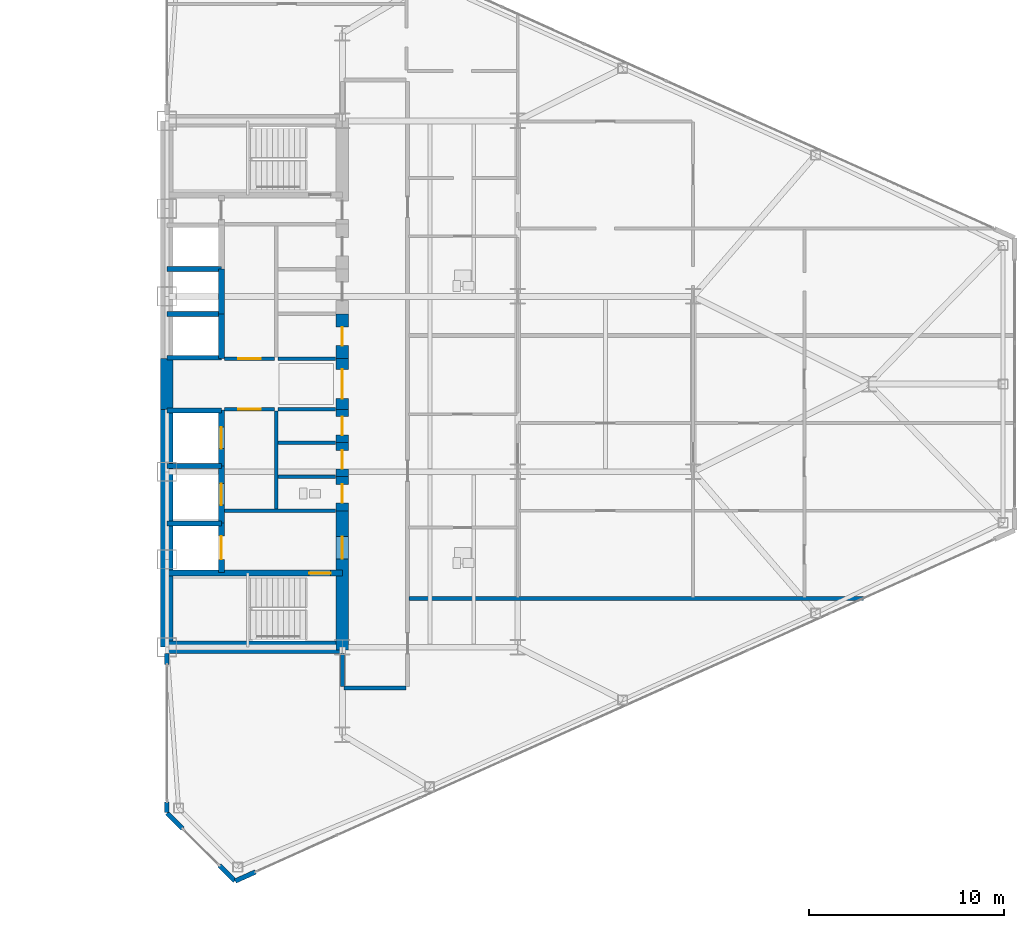
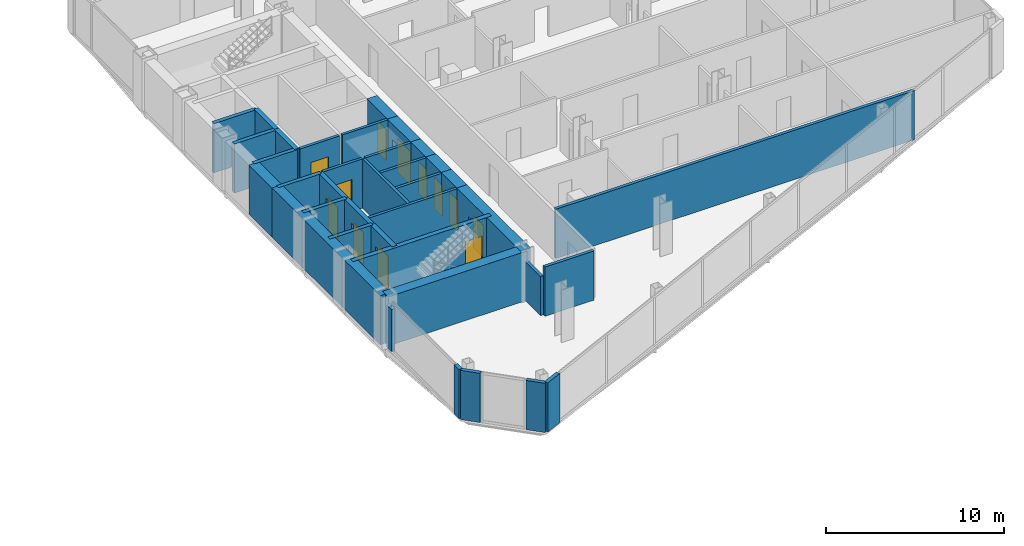
# One storey, part 22 of 27: 37 walls, 12 doors, 12 openings.
"""IFC4 building model written with IfcOpenShell, lengths in metres."""

from ifc_helpers import new_model, si_unit, direction, frame, frame_2d, origin, place, context, subcontext, project, spatial, rectangle, extrude, source, transform, mapped, material, layer, layer_set, type_object, type_shapes, element, fill, save


model = new_model("IFC4")

# Units and contexts
model_context = context("Model", 3, precision=1e-05, world=origin(), true_north=direction((0.0, 1.0)))
body_context = subcontext(model_context, "Body", "Model", "MODEL_VIEW")
ifc_project = project(units=[si_unit("LENGTHUNIT", "METRE"), si_unit("AREAUNIT", "SQUARE_METRE"), si_unit("VOLUMEUNIT", "CUBIC_METRE"), si_unit("PLANEANGLEUNIT", "RADIAN"), si_unit("MASSUNIT", "GRAM", prefix="KILO")], contexts=[model_context])

# Site, building, storey
site_placement = place(None, origin())
site = spatial("IfcSite", under=ifc_project, at=site_placement, CompositionType="ELEMENT")
building_placement = place(site_placement, origin())
building = spatial("IfcBuilding", under=site, at=building_placement, Name="Seokmaru Belvedere", CompositionType="ELEMENT")
storey_placement = place(building_placement, frame((0.0, 0.0, 103.199951171875)))
storey = spatial("IfcBuildingStorey", under=building, at=storey_placement, Name="L27", CompositionType="ELEMENT", Elevation=103.199951171875)

# Walls
ifc_material_1 = material(Name="Fire-Rated Gypsum Shaftwall")
ifc_layer_1 = layer(ifc_material_1, 0.179931640625)
ifc_layer_set_1 = layer_set([ifc_layer_1], Name="Fire-Rated Gypsum Shaftwall")
wall_type_1 = type_object("IfcWallType", Name="Core Service Fire Partition 180", PredefinedType="PARTITIONING", material=ifc_layer_set_1)
wall_1_placement = place(storey_placement, frame((30.449951171875, -6.5, 0.0), z_axis=(0.0, 0.0, 1.0), x_axis=(1.0, 0.0, 0.0)))
element("IfcWall", 1, at=wall_1_placement, inside=storey, type_object=wall_type_1, Name="L27 East Firefighting Lobby Partition", PredefinedType="PARTITIONING", context=body_context, shape_type="SweptSolid", body=[
    extrude(rectangle(XDim=5.699951171875, YDim=0.179931640625, at=frame_2d((2.85009765625, 0.0))), origin(), (0.0, 0.0, 1.0), 3.380126953125),
])
wall_2_placement = place(storey_placement, frame((33.10009765625, -6.419921875, 0.0), z_axis=(0.0, 0.0, 1.0), x_axis=(0.0, 1.0, 0.0)))
element("IfcWall", 2, at=wall_2_placement, inside=storey, type_object=wall_type_1, Name="L27 East South Core Service Back Wall", PredefinedType="PARTITIONING", context=body_context, shape_type="SweptSolid", body=[
    extrude(rectangle(XDim=5.0400390625, YDim=0.179931640625, at=frame_2d((2.52001953125, 0.0))), origin(), (0.0, 0.0, 1.0), 3.380126953125),
])

# Wall, opening, door
wall_3_placement = place(storey_placement, frame((30.449951171875, -1.300048828125, 0.0), z_axis=(0.0, 0.0, 1.0), x_axis=(1.0, 0.0, 0.0)))
wall_3 = element("IfcWall", 3, at=wall_3_placement, inside=storey, type_object=wall_type_1, Name="L27 East South Lift Lobby Foyer Wall", PredefinedType="PARTITIONING", context=body_context, shape_type="SweptSolid", body=[
    extrude(rectangle(XDim=2.570068359375, YDim=0.179931640625, at=frame_2d((1.28515625, 0.0))), origin(), (0.0, 0.0, 1.0), 3.380126953125),
])
opening_1_placement = place(wall_3_placement, frame((0.7099609375, 0.0, 0.0)))
opening_1 = element("IfcOpeningElement", 4, at=opening_1_placement, cuts=wall_3, Name="Opening D02", PredefinedType="OPENING", context=body_context, shape_type="SweptSolid", body=[
    extrude(rectangle(XDim=1.14990234375, YDim=2.199951171875, at=frame_2d((0.574951171875, 1.10009765625))), frame((0.0, 0.10009765625, 0.0), z_axis=(0.0, -1.0, 0.0), x_axis=(1.0, 0.0, 0.0)), (0.0, 0.0, 1.0), 0.199951171875),
])
ifc_material_2 = material(Name="Fire-Rated Steel Leaf", Category="steel")
door_type_1 = type_object("IfcDoorType", Name="Lobby and Vestibule Fire Door 1150x2200", OperationType="NOTDEFINED", PredefinedType="DOOR", material=ifc_material_2)
shared_shape_1 = source(origin(), body_context, "Body", "SweptSolid", [
    extrude(rectangle(XDim=1.14990234375, YDim=2.199951171875, at=frame_2d((0.574951171875, 1.10009765625))), frame((0.0, 0.02490234375, 0.0), z_axis=(0.0, -1.0, 0.0), x_axis=(1.0, 0.0, 0.0)), (0.0, 0.0, 1.0), 0.050048828125),
])
type_shapes(door_type_1, [shared_shape_1])
door_1_placement = place(opening_1_placement, origin())
door_1 = element("IfcDoor", 5, at=door_1_placement, inside=storey, type_object=door_type_1, Name="L27 East South Core Foyer Door", OperationType="SINGLE_SWING_RIGHT", OverallHeight=2.199951171875, OverallWidth=1.14990234375, PredefinedType="DOOR", context=body_context, shape_type="MappedRepresentation", body=[
    mapped(shared_shape_1, transform((0.0, 0.0, 0.0), scale=1.0)),
])
fill(opening_1, door_1)

wall_4_placement = place(storey_placement, frame((30.449951171875, 1.300048828125, 0.0), z_axis=(0.0, 0.0, 1.0), x_axis=(1.0, 0.0, 0.0)))
wall_4 = element("IfcWall", 6, at=wall_4_placement, inside=storey, type_object=wall_type_1, Name="L27 East North Lift Lobby Foyer Wall", PredefinedType="PARTITIONING", context=body_context, shape_type="SweptSolid", body=[
    extrude(rectangle(XDim=2.570068359375, YDim=0.179931640625, at=frame_2d((1.28515625, 0.0))), origin(), (0.0, 0.0, 1.0), 3.380126953125),
])
opening_2_placement = place(wall_4_placement, frame((0.7099609375, 0.0, 0.0)))
opening_2 = element("IfcOpeningElement", 7, at=opening_2_placement, cuts=wall_4, Name="Opening D02", PredefinedType="OPENING", context=body_context, shape_type="SweptSolid", body=[
    extrude(rectangle(XDim=1.14990234375, YDim=2.199951171875, at=frame_2d((0.574951171875, 1.10009765625))), frame((0.0, 0.10009765625, 0.0), z_axis=(0.0, -1.0, 0.0), x_axis=(1.0, 0.0, 0.0)), (0.0, 0.0, 1.0), 0.199951171875),
])
door_2_placement = place(opening_2_placement, origin())
door_2 = element("IfcDoor", 8, at=door_2_placement, inside=storey, type_object=door_type_1, Name="L27 East North Lift Lobby Door", OperationType="SINGLE_SWING_LEFT", OverallHeight=2.199951171875, OverallWidth=1.14990234375, PredefinedType="DOOR", context=body_context, shape_type="MappedRepresentation", body=[
    mapped(shared_shape_1, transform((0.0, 0.0, 0.0), scale=1.0)),
])
fill(opening_2, door_2)

# Walls
for number, where, z_axis, x_axis, name in (
    (9, (33.199951171875, -1.300048828125, 0.0), (0.0, 0.0, 1.0), (1.0, 0.0, 0.0), "L27 East Foyer Side Wall S"),
    (10, (33.199951171875, 1.300048828125, 0.0), (0.0, 0.0, 1.0), (1.0, 0.0, 0.0), "L27 East Foyer Side Wall N"),
    (11, (33.199951171875, -4.75, 0.0), (0.0, 0.0, 1.0), (1.0, 0.0, 0.0), "L27 East Core Service Partition 1"),
    (12, (33.199951171875, -3.0, 0.0), (0.0, 0.0, 1.0), (1.0, 0.0, 0.0), "L27 East Core Service Partition 2"),
):
    element("IfcWall", number, at=place(storey_placement, frame(where, z_axis=z_axis, x_axis=x_axis)), inside=storey, type_object=wall_type_1, Name=name, PredefinedType="PARTITIONING", context=body_context, shape_type="SweptSolid", body=[
        extrude(rectangle(XDim=2.949951171875, YDim=0.179931640625, at=frame_2d((1.47509765625, 0.0))), origin(), (0.0, 0.0, 1.0), 3.380126953125),
    ])
ifc_material_3 = material(Name="Concrete C50 (50 MPa)", Category="concrete")
ifc_layer_2 = layer(ifc_material_3, 0.25)
ifc_layer_set_2 = layer_set([ifc_layer_2], Name="Concrete C50 (50 MPa)")
wall_type_2 = type_object("IfcWallType", Name="Hoistway Transverse Concrete Divider Wall 250", PredefinedType="SHEAR", material=ifc_layer_set_2)
for number, where, z_axis, x_axis, name in (
    (13, (27.5, -7.14990234375, 0.0), (0.0, 0.0, 1.0), (1.0, 0.0, 0.0), "L27 East Hoistway Divider Core Wall 1"),
    (14, (27.5, -4.199951171875, 0.0), (0.0, 0.0, 1.0), (1.0, 0.0, 0.0), "L27 East Hoistway Divider Core Wall 2"),
    (15, (27.5, -1.35009765625, 0.0), (0.0, 0.0, 1.0), (1.0, 0.0, 0.0), "L27 East Hoistway Divider Core Wall 3"),
    (16, (27.5, 1.35009765625, 0.0), (0.0, 0.0, 1.0), (1.0, 0.0, 0.0), "L27 East Hoistway Divider Core Wall 4"),
    (17, (27.5, 3.60009765625, 0.0), (0.0, 0.0, 1.0), (1.0, 0.0, 0.0), "L27 East Hoistway Divider Core Wall 5"),
    (18, (27.5, 5.89990234375, 0.0), (0.0, 0.0, 1.0), (1.0, 0.0, 0.0), "L27 East Hoistway Divider Core Wall 6"),
):
    element("IfcWall", number, at=place(storey_placement, frame(where, z_axis=z_axis, x_axis=x_axis)), inside=storey, type_object=wall_type_2, Name=name, PredefinedType="SHEAR", context=body_context, shape_type="SweptSolid", body=[
        extrude(rectangle(XDim=2.800048828125, YDim=0.25, at=frame_2d((1.39990234375, 0.0))), origin(), (0.0, 0.0, 1.0), 3.380126953125),
    ])
ifc_layer_3 = layer(ifc_material_1, 0.199951171875)
ifc_layer_set_3 = layer_set([ifc_layer_3], Name="Fire-Rated Gypsum Shaftwall")
wall_type_3 = type_object("IfcWallType", Name="Inter-Tenancy Fire Compartment Partition 200", PredefinedType="PARTITIONING", material=ifc_layer_set_3)
wall_5_placement = place(storey_placement, frame((36.5849609375, -15.60009765625, 0.0), z_axis=(0.0, 0.0, 1.0), x_axis=(1.0, 0.0, 0.0)))
element("IfcWall", 19, at=wall_5_placement, inside=storey, type_object=wall_type_3, Name="L27 Interior Partition 004", PredefinedType="PARTITIONING", context=body_context, shape_type="SweptSolid", body=[
    extrude(rectangle(XDim=3.179931640625, YDim=0.199951171875, at=frame_2d((1.58984375, 0.0))), origin(), (0.0, 0.0, 1.0), 3.380126953125),
])
wall_6_placement = place(storey_placement, frame((39.929931640625, -11.0, 0.0), z_axis=(0.0, 0.0, 1.0), x_axis=(1.0, 0.0, 0.0)))
element("IfcWall", 20, at=wall_6_placement, inside=storey, type_object=wall_type_3, Name="L27 Interior Partition 007", PredefinedType="PARTITIONING", context=body_context, shape_type="SweptSolid", body=[
    extrude(rectangle(XDim=23.303955078125, YDim=0.199951171875, at=frame_2d((11.65185546875, 0.0))), origin(), (0.0, 0.0, 1.0), 3.380126953125),
])
wall_7_placement = place(storey_placement, frame((36.5, -15.514892578125, 0.0), z_axis=(0.0, 0.0, 1.0), x_axis=(0.0, 1.0, 0.0)))
element("IfcWall", 21, at=wall_7_placement, inside=storey, type_object=wall_type_3, Name="L27 Interior Partition 045", PredefinedType="PARTITIONING", context=body_context, shape_type="SweptSolid", body=[
    extrude(rectangle(XDim=1.684814453125, YDim=0.199951171875, at=frame_2d((0.84228515625, 0.0))), origin(), (0.0, 0.0, 1.0), 2.679931640625),
])

# Wall, opening, door
ifc_layer_4 = layer(ifc_material_3, 0.300048828125)
ifc_layer_set_4 = layer_set([ifc_layer_4], Name="Concrete C50 (50 MPa)")
wall_type_4 = type_object("IfcWallType", Name="Internal Core Stair and Hoistway Wall 300", PredefinedType="SHEAR", material=ifc_layer_set_4)
wall_8_placement = place(storey_placement, frame((27.5, -9.699951171875, 0.0), z_axis=(0.0, 0.0, 1.0), x_axis=(1.0, 0.0, 0.0)))
wall_8 = element("IfcWall", 22, at=wall_8_placement, inside=storey, type_object=wall_type_4, Name="L27 East Stair ST-1 Enclosure Wall", PredefinedType="SHEAR", context=body_context, shape_type="SweptSolid", body=[
    extrude(rectangle(XDim=9.0, YDim=0.300048828125, at=frame_2d((4.5, 0.0))), origin(), (0.0, 0.0, 1.0), 3.380126953125),
])
opening_3_placement = place(wall_8_placement, frame((7.300048828125, 0.0, 0.0)))
opening_3 = element("IfcOpeningElement", 23, at=opening_3_placement, cuts=wall_8, Name="Opening D01", PredefinedType="OPENING", context=body_context, shape_type="SweptSolid", body=[
    extrude(rectangle(XDim=1.10009765625, YDim=2.199951171875, at=frame_2d((0.550048828125, 1.10009765625))), frame((0.0, 0.16015625, 0.0), z_axis=(0.0, -1.0, 0.0), x_axis=(1.0, 0.0, 0.0)), (0.0, 0.0, 1.0), 0.320068359375),
])
door_type_2 = type_object("IfcDoorType", Name="Special Escape Stair Smokeproof Fire Door 1100x2200", OperationType="NOTDEFINED", PredefinedType="DOOR", material=ifc_material_2)
shared_shape_2 = source(origin(), body_context, "Body", "SweptSolid", [
    extrude(rectangle(XDim=1.10009765625, YDim=2.199951171875, at=frame_2d((0.550048828125, 1.10009765625))), frame((0.0, 0.02490234375, 0.0), z_axis=(0.0, -1.0, 0.0), x_axis=(1.0, 0.0, 0.0)), (0.0, 0.0, 1.0), 0.050048828125),
])
type_shapes(door_type_2, [shared_shape_2])
door_3_placement = place(opening_3_placement, frame((1.10009765625, 0.0, 0.0), z_axis=(0.0, 0.0, 1.0), x_axis=(-1.0, 0.0, 0.0)))
door_3 = element("IfcDoor", 24, at=door_3_placement, inside=storey, type_object=door_type_2, Name="L27 East Special Escape Stair ST-1 Door", OperationType="SINGLE_SWING_RIGHT", OverallHeight=2.199951171875, OverallWidth=1.10009765625, PredefinedType="DOOR", context=body_context, shape_type="MappedRepresentation", body=[
    mapped(shared_shape_2, transform((0.0, 0.0, 0.0), scale=1.0)),
])
fill(opening_3, door_3)

wall_9_placement = place(storey_placement, frame((30.300048828125, -9.679931640625, 0.0), z_axis=(0.0, 0.0, 1.0), x_axis=(0.0, 1.0, 0.0)))
wall_9 = element("IfcWall", 25, at=wall_9_placement, inside=storey, type_object=wall_type_4, Name="L27 East Firefighting Lift Shaft Front Wall", PredefinedType="SHEAR", context=body_context, shape_type="SweptSolid", body=[
    extrude(rectangle(XDim=2.559814453125, YDim=0.300048828125, at=frame_2d((1.27978515625, 0.0))), origin(), (0.0, 0.0, 1.0), 3.380126953125),
])
opening_4_placement = place(wall_9_placement, frame((0.679931640625, 0.0, 0.0)))
opening_4 = element("IfcOpeningElement", 26, at=opening_4_placement, cuts=wall_9, Name="Opening LD2", PredefinedType="OPENING", context=body_context, shape_type="SweptSolid", body=[
    extrude(rectangle(XDim=1.199951171875, YDim=2.25, at=frame_2d((0.60009765625, 1.125))), frame((0.0, 0.16015625, 0.0), z_axis=(0.0, -1.0, 0.0), x_axis=(1.0, 0.0, 0.0)), (0.0, 0.0, 1.0), 0.320068359375),
])
ifc_material_4 = material(Name="Stainless Steel 316", Category="steel")
door_type_3 = type_object("IfcDoorType", Name="Firefighting Lift Sliding Landing Door 1200x2250", OperationType="DOUBLE_DOOR_SLIDING", PredefinedType="DOOR", material=ifc_material_4)
shared_shape_3 = source(origin(), body_context, "Body", "SweptSolid", [
    extrude(rectangle(XDim=1.199951171875, YDim=2.25, at=frame_2d((0.60009765625, 1.125))), frame((0.0, 0.02490234375, 0.0), z_axis=(0.0, -1.0, 0.0), x_axis=(1.0, 0.0, 0.0)), (0.0, 0.0, 1.0), 0.050048828125),
])
type_shapes(door_type_3, [shared_shape_3])
door_4_placement = place(opening_4_placement, origin())
door_4 = element("IfcDoor", 27, at=door_4_placement, inside=storey, type_object=door_type_3, Name="L27 East Firefighting Lift Landing Door", OperationType="DOUBLE_DOOR_SLIDING", OverallHeight=2.25, OverallWidth=1.199951171875, PredefinedType="DOOR", context=body_context, shape_type="MappedRepresentation", body=[
    mapped(shared_shape_3, transform((0.0, 0.0, 0.0), scale=1.0)),
])
fill(opening_4, door_4)

wall_10_placement = place(storey_placement, frame((30.300048828125, -7.1201171875, 0.0), z_axis=(0.0, 0.0, 1.0), x_axis=(0.0, 1.0, 0.0)))
wall_10 = element("IfcWall", 28, at=wall_10_placement, inside=storey, type_object=wall_type_4, Name="L27 East Low-Rise Lift PL-1 Front Wall", PredefinedType="SHEAR", context=body_context, shape_type="SweptSolid", body=[
    extrude(rectangle(XDim=2.920166015625, YDim=0.300048828125, at=frame_2d((1.4599609375, 0.0))), origin(), (0.0, 0.0, 1.0), 3.380126953125),
])
opening_5_placement = place(wall_10_placement, frame((0.909912109375, 0.0, 0.0)))
opening_5 = element("IfcOpeningElement", 29, at=opening_5_placement, cuts=wall_10, Name="Opening LD1", PredefinedType="OPENING", context=body_context, shape_type="SweptSolid", body=[
    extrude(rectangle(XDim=1.10009765625, YDim=2.199951171875, at=frame_2d((0.550048828125, 1.10009765625))), frame((0.0, 0.16015625, 0.0), z_axis=(0.0, -1.0, 0.0), x_axis=(1.0, 0.0, 0.0)), (0.0, 0.0, 1.0), 0.320068359375),
])
door_type_4 = type_object("IfcDoorType", Name="Passenger Lift Sliding Landing Door 1100x2200", OperationType="DOUBLE_DOOR_SLIDING", PredefinedType="DOOR", material=ifc_material_4)
shared_shape_4 = source(origin(), body_context, "Body", "SweptSolid", [
    extrude(rectangle(XDim=1.10009765625, YDim=2.199951171875, at=frame_2d((0.550048828125, 1.10009765625))), frame((0.0, 0.02490234375, 0.0), z_axis=(0.0, -1.0, 0.0), x_axis=(1.0, 0.0, 0.0)), (0.0, 0.0, 1.0), 0.050048828125),
])
type_shapes(door_type_4, [shared_shape_4])
door_5_placement = place(opening_5_placement, origin())
door_5 = element("IfcDoor", 30, at=door_5_placement, inside=storey, type_object=door_type_4, Name="L27 East Low-Rise Lift PL-1 Landing Door", OperationType="DOUBLE_DOOR_SLIDING", OverallHeight=2.199951171875, OverallWidth=1.10009765625, PredefinedType="DOOR", context=body_context, shape_type="MappedRepresentation", body=[
    mapped(shared_shape_4, transform((0.0, 0.0, 0.0), scale=1.0)),
])
fill(opening_5, door_5)

wall_11_placement = place(storey_placement, frame((30.300048828125, -4.199951171875, 0.0), z_axis=(0.0, 0.0, 1.0), x_axis=(0.0, 1.0, 0.0)))
wall_11 = element("IfcWall", 31, at=wall_11_placement, inside=storey, type_object=wall_type_4, Name="L27 East Low-Rise Lift PL-2 Front Wall", PredefinedType="SHEAR", context=body_context, shape_type="SweptSolid", body=[
    extrude(rectangle(XDim=2.8798828125, YDim=0.300048828125, at=frame_2d((1.43994140625, 0.0))), origin(), (0.0, 0.0, 1.0), 3.380126953125),
])
opening_6_placement = place(wall_11_placement, frame((0.889892578125, 0.0, 0.0)))
opening_6 = element("IfcOpeningElement", 32, at=opening_6_placement, cuts=wall_11, Name="Opening LD1", PredefinedType="OPENING", context=body_context, shape_type="SweptSolid", body=[
    extrude(rectangle(XDim=1.10009765625, YDim=2.199951171875, at=frame_2d((0.550048828125, 1.10009765625))), frame((0.0, 0.16015625, 0.0), z_axis=(0.0, -1.0, 0.0), x_axis=(1.0, 0.0, 0.0)), (0.0, 0.0, 1.0), 0.320068359375),
])
door_6_placement = place(opening_6_placement, origin())
door_6 = element("IfcDoor", 33, at=door_6_placement, inside=storey, type_object=door_type_4, Name="L27 East Low-Rise Lift PL-2 Landing Door", OperationType="DOUBLE_DOOR_SLIDING", OverallHeight=2.199951171875, OverallWidth=1.10009765625, PredefinedType="DOOR", context=body_context, shape_type="MappedRepresentation", body=[
    mapped(shared_shape_4, transform((0.0, 0.0, 0.0), scale=1.0)),
])
fill(opening_6, door_6)

# Walls
wall_12_placement = place(storey_placement, frame((30.300048828125, 1.320068359375, 0.0), z_axis=(0.0, 0.0, 1.0), x_axis=(0.0, 1.0, 0.0)))
element("IfcWall", 34, at=wall_12_placement, inside=storey, type_object=wall_type_4, Name="L27 East North Hoistway Wall PH1", PredefinedType="SHEAR", context=body_context, shape_type="SweptSolid", body=[
    extrude(rectangle(XDim=2.280029296875, YDim=0.300048828125, at=frame_2d((1.14013671875, 0.0))), origin(), (0.0, 0.0, 1.0), 3.380126953125),
])
wall_13_placement = place(storey_placement, frame((30.300048828125, 3.60009765625, 0.0), z_axis=(0.0, 0.0, 1.0), x_axis=(0.0, 1.0, 0.0)))
element("IfcWall", 35, at=wall_13_placement, inside=storey, type_object=wall_type_4, Name="L27 East North Hoistway Wall PH2", PredefinedType="SHEAR", context=body_context, shape_type="SweptSolid", body=[
    extrude(rectangle(XDim=2.2998046875, YDim=0.300048828125, at=frame_2d((1.14990234375, 0.0))), origin(), (0.0, 0.0, 1.0), 3.380126953125),
])
ifc_material_5 = material(Name="Concrete C60 (60 MPa)", Category="concrete")
ifc_layer_5 = layer(ifc_material_5, 0.64990234375)
ifc_layer_set_5 = layer_set([ifc_layer_5], Name="Concrete C60 (60 MPa)")
wall_type_5 = type_object("IfcWallType", Name="Mid-Low Reinforced Concrete Core Wall 650", PredefinedType="SHEAR", material=ifc_layer_set_5)
wall_14_placement = place(storey_placement, frame((27.5, -13.5, 0.0), z_axis=(0.0, 0.0, 1.0), x_axis=(0.0, 1.0, 0.0)))
element("IfcWall", 36, at=wall_14_placement, inside=storey, type_object=wall_type_5, Name="L27 East Portal Spine Core Wall South", PredefinedType="SHEAR", context=body_context, shape_type="SweptSolid", body=[
    extrude(rectangle(XDim=12.199951171875, YDim=0.64990234375, at=frame_2d((6.10009765625, 0.0))), origin(), (0.0, 0.0, 1.0), 3.380126953125),
])
wall_15_placement = place(storey_placement, frame((27.5, -1.300048828125, 0.0), z_axis=(0.0, 0.0, 1.0), x_axis=(0.0, 1.0, 0.0)))
element("IfcWall", 37, at=wall_15_placement, inside=storey, type_object=wall_type_5, Name="L27 East Portal Spine Core Wall Center", PredefinedType="SHEAR", context=body_context, shape_type="SweptSolid", body=[
    extrude(rectangle(XDim=2.60009765625, YDim=0.64990234375, at=frame_2d((1.300048828125, 0.0))), origin(), (0.0, 0.0, 1.0), 3.380126953125),
])
wall_16_placement = place(storey_placement, frame((27.5, -13.5, 0.0), z_axis=(0.0, 0.0, 1.0), x_axis=(1.0, 0.0, 0.0)))
element("IfcWall", 38, at=wall_16_placement, inside=storey, type_object=wall_type_5, Name="L27 East South Core Wall", PredefinedType="SHEAR", context=body_context, shape_type="SweptSolid", body=[
    extrude(rectangle(XDim=9.0, YDim=0.64990234375, at=frame_2d((4.5, 0.0))), origin(), (0.0, 0.0, 1.0), 3.380126953125),
])

# Wall, opening, door
wall_17_placement = place(storey_placement, frame((36.5, -13.64990234375, 0.0), z_axis=(0.0, 0.0, 1.0), x_axis=(0.0, 1.0, 0.0)))
wall_17 = element("IfcWall", 39, at=wall_17_placement, inside=storey, type_object=wall_type_5, Name="L27 East West Core Wall FF", PredefinedType="SHEAR", context=body_context, shape_type="SweptSolid", body=[
    extrude(rectangle(XDim=7.14990234375, YDim=0.64990234375, at=frame_2d((3.574951171875, 0.0))), origin(), (0.0, 0.0, 1.0), 3.380126953125),
])
opening_7_placement = place(wall_17_placement, frame((4.675048828125, 0.0, 0.0)))
opening_7 = element("IfcOpeningElement", 40, at=opening_7_placement, cuts=wall_17, Name="Opening D02", PredefinedType="OPENING", context=body_context, shape_type="SweptSolid", body=[
    extrude(rectangle(XDim=1.14990234375, YDim=2.199951171875, at=frame_2d((0.574951171875, 1.10009765625))), frame((0.0, 0.3349609375, 0.0), z_axis=(0.0, -1.0, 0.0), x_axis=(1.0, 0.0, 0.0)), (0.0, 0.0, 1.0), 0.669921875),
])
door_7_placement = place(opening_7_placement, origin())
door_7 = element("IfcDoor", 41, at=door_7_placement, inside=storey, type_object=door_type_1, Name="L27 East Firefighting Lobby Door", OperationType="SINGLE_SWING_RIGHT", OverallHeight=2.199951171875, OverallWidth=1.14990234375, PredefinedType="DOOR", context=body_context, shape_type="MappedRepresentation", body=[
    mapped(shared_shape_1, transform((0.0, 0.0, 0.0), scale=1.0)),
])
fill(opening_7, door_7)

wall_18_placement = place(storey_placement, frame((36.5, -1.300048828125, 0.0), z_axis=(0.0, 0.0, 1.0), x_axis=(0.0, 1.0, 0.0)))
wall_18 = element("IfcWall", 42, at=wall_18_placement, inside=storey, type_object=wall_type_5, Name="L27 East West Core Wall FOY", PredefinedType="SHEAR", context=body_context, shape_type="SweptSolid", body=[
    extrude(rectangle(XDim=2.60009765625, YDim=0.64990234375, at=frame_2d((1.300048828125, 0.0))), origin(), (0.0, 0.0, 1.0), 3.380126953125),
])
opening_8_placement = place(wall_18_placement, frame((0.550048828125, 0.0, 0.0)))
opening_8 = element("IfcOpeningElement", 43, at=opening_8_placement, cuts=wall_18, Name="Opening D08", PredefinedType="OPENING", context=body_context, shape_type="SweptSolid", body=[
    extrude(rectangle(XDim=1.5, YDim=2.300048828125, at=frame_2d((0.75, 1.14990234375))), frame((0.0, 0.3349609375, 0.0), z_axis=(0.0, -1.0, 0.0), x_axis=(1.0, 0.0, 0.0)), (0.0, 0.0, 1.0), 0.669921875),
])
door_type_5 = type_object("IfcDoorType", Name="Cross-Corridor Compartment Double Fire Door 1500x2300", OperationType="DOUBLE_SWING_LEFT", PredefinedType="DOOR", material=ifc_material_2)
shared_shape_5 = source(origin(), body_context, "Body", "SweptSolid", [
    extrude(rectangle(XDim=1.5, YDim=2.300048828125, at=frame_2d((0.75, 1.14990234375))), frame((0.0, 0.02490234375, 0.0), z_axis=(0.0, -1.0, 0.0), x_axis=(1.0, 0.0, 0.0)), (0.0, 0.0, 1.0), 0.050048828125),
])
type_shapes(door_type_5, [shared_shape_5])
door_8_placement = place(opening_8_placement, origin())
door_8 = element("IfcDoor", 44, at=door_8_placement, inside=storey, type_object=door_type_5, Name="L27 East Core Foyer Compartment Door", OperationType="DOUBLE_SWING_LEFT", OverallHeight=2.300048828125, OverallWidth=1.5, PredefinedType="DOOR", context=body_context, shape_type="MappedRepresentation", body=[
    mapped(shared_shape_5, transform((0.0, 0.0, 0.0), scale=1.0)),
])
fill(opening_8, door_8)

wall_19_placement = place(storey_placement, frame((36.5, -6.5, 0.0), z_axis=(0.0, 0.0, 1.0), x_axis=(0.0, 1.0, 0.0)))
wall_19 = element("IfcWall", 45, at=wall_19_placement, inside=storey, type_object=wall_type_5, Name="L27 East West Core Wall CS1", PredefinedType="SHEAR", context=body_context, shape_type="SweptSolid", body=[
    extrude(rectangle(XDim=1.75, YDim=0.64990234375, at=frame_2d((0.875, 0.0))), origin(), (0.0, 0.0, 1.0), 3.380126953125),
])
opening_9_placement = place(wall_19_placement, frame((0.39990234375, 0.0, 0.0)))
opening_9 = element("IfcOpeningElement", 46, at=opening_9_placement, cuts=wall_19, Name="Opening D04", PredefinedType="OPENING", context=body_context, shape_type="SweptSolid", body=[
    extrude(rectangle(XDim=0.949951171875, YDim=2.14990234375, at=frame_2d((0.47509765625, 1.074951171875))), frame((0.0, 0.3349609375, 0.0), z_axis=(0.0, -1.0, 0.0), x_axis=(1.0, 0.0, 0.0)), (0.0, 0.0, 1.0), 0.669921875),
])
door_type_6 = type_object("IfcDoorType", Name="Core Service Room Fire Door 950x2150", OperationType="NOTDEFINED", PredefinedType="DOOR", material=ifc_material_2)
shared_shape_6 = source(origin(), body_context, "Body", "SweptSolid", [
    extrude(rectangle(XDim=0.949951171875, YDim=2.14990234375, at=frame_2d((0.47509765625, 1.074951171875))), frame((0.0, 0.02490234375, 0.0), z_axis=(0.0, -1.0, 0.0), x_axis=(1.0, 0.0, 0.0)), (0.0, 0.0, 1.0), 0.050048828125),
])
type_shapes(door_type_6, [shared_shape_6])
door_9_placement = place(opening_9_placement, origin())
door_9 = element("IfcDoor", 47, at=door_9_placement, inside=storey, type_object=door_type_6, Name="L27 East Core Service Room Door 1", OperationType="SINGLE_SWING_RIGHT", OverallHeight=2.14990234375, OverallWidth=0.949951171875, PredefinedType="DOOR", context=body_context, shape_type="MappedRepresentation", body=[
    mapped(shared_shape_6, transform((0.0, 0.0, 0.0), scale=1.0)),
])
fill(opening_9, door_9)

wall_20_placement = place(storey_placement, frame((36.5, -4.75, 0.0), z_axis=(0.0, 0.0, 1.0), x_axis=(0.0, 1.0, 0.0)))
wall_20 = element("IfcWall", 48, at=wall_20_placement, inside=storey, type_object=wall_type_5, Name="L27 East West Core Wall CS2", PredefinedType="SHEAR", context=body_context, shape_type="SweptSolid", body=[
    extrude(rectangle(XDim=1.75, YDim=0.64990234375, at=frame_2d((0.875, 0.0))), origin(), (0.0, 0.0, 1.0), 3.380126953125),
])
opening_10_placement = place(wall_20_placement, frame((0.39990234375, 0.0, 0.0)))
opening_10 = element("IfcOpeningElement", 49, at=opening_10_placement, cuts=wall_20, Name="Opening D04", PredefinedType="OPENING", context=body_context, shape_type="SweptSolid", body=[
    extrude(rectangle(XDim=0.949951171875, YDim=2.14990234375, at=frame_2d((0.47509765625, 1.074951171875))), frame((0.0, 0.3349609375, 0.0), z_axis=(0.0, -1.0, 0.0), x_axis=(1.0, 0.0, 0.0)), (0.0, 0.0, 1.0), 0.669921875),
])
door_10_placement = place(opening_10_placement, origin())
door_10 = element("IfcDoor", 50, at=door_10_placement, inside=storey, type_object=door_type_6, Name="L27 East Core Service Room Door 2", OperationType="SINGLE_SWING_LEFT", OverallHeight=2.14990234375, OverallWidth=0.949951171875, PredefinedType="DOOR", context=body_context, shape_type="MappedRepresentation", body=[
    mapped(shared_shape_6, transform((0.0, 0.0, 0.0), scale=1.0)),
])
fill(opening_10, door_10)

wall_21_placement = place(storey_placement, frame((36.5, -3.0, 0.0), z_axis=(0.0, 0.0, 1.0), x_axis=(0.0, 1.0, 0.0)))
wall_21 = element("IfcWall", 51, at=wall_21_placement, inside=storey, type_object=wall_type_5, Name="L27 East West Core Wall CS3", PredefinedType="SHEAR", context=body_context, shape_type="SweptSolid", body=[
    extrude(rectangle(XDim=1.699951171875, YDim=0.64990234375, at=frame_2d((0.85009765625, 0.0))), origin(), (0.0, 0.0, 1.0), 3.380126953125),
])
opening_11_placement = place(wall_21_placement, frame((0.375, 0.0, 0.0)))
opening_11 = element("IfcOpeningElement", 52, at=opening_11_placement, cuts=wall_21, Name="Opening D04", PredefinedType="OPENING", context=body_context, shape_type="SweptSolid", body=[
    extrude(rectangle(XDim=0.949951171875, YDim=2.14990234375, at=frame_2d((0.47509765625, 1.074951171875))), frame((0.0, 0.3349609375, 0.0), z_axis=(0.0, -1.0, 0.0), x_axis=(1.0, 0.0, 0.0)), (0.0, 0.0, 1.0), 0.669921875),
])
door_11_placement = place(opening_11_placement, origin())
door_11 = element("IfcDoor", 53, at=door_11_placement, inside=storey, type_object=door_type_6, Name="L27 East Core Service Room Door 3", OperationType="SINGLE_SWING_RIGHT", OverallHeight=2.14990234375, OverallWidth=0.949951171875, PredefinedType="DOOR", context=body_context, shape_type="MappedRepresentation", body=[
    mapped(shared_shape_6, transform((0.0, 0.0, 0.0), scale=1.0)),
])
fill(opening_11, door_11)

wall_22_placement = place(storey_placement, frame((36.5, 1.300048828125, 0.0), z_axis=(0.0, 0.0, 1.0), x_axis=(0.0, 1.0, 0.0)))
wall_22 = element("IfcWall", 54, at=wall_22_placement, inside=storey, type_object=wall_type_5, Name="L27 East West Core Wall CS4", PredefinedType="SHEAR", context=body_context, shape_type="SweptSolid", body=[
    extrude(rectangle(XDim=2.300048828125, YDim=0.64990234375, at=frame_2d((1.14990234375, 0.0))), origin(), (0.0, 0.0, 1.0), 3.380126953125),
])
opening_12_placement = place(wall_22_placement, frame((0.675048828125, 0.0, 0.0)))
opening_12 = element("IfcOpeningElement", 55, at=opening_12_placement, cuts=wall_22, Name="Opening D04", PredefinedType="OPENING", context=body_context, shape_type="SweptSolid", body=[
    extrude(rectangle(XDim=0.949951171875, YDim=2.14990234375, at=frame_2d((0.47509765625, 1.074951171875))), frame((0.0, 0.3349609375, 0.0), z_axis=(0.0, -1.0, 0.0), x_axis=(1.0, 0.0, 0.0)), (0.0, 0.0, 1.0), 0.669921875),
])
door_12_placement = place(opening_12_placement, origin())
door_12 = element("IfcDoor", 56, at=door_12_placement, inside=storey, type_object=door_type_6, Name="L27 East Core Service Room Door 4", OperationType="SINGLE_SWING_LEFT", OverallHeight=2.14990234375, OverallWidth=0.949951171875, PredefinedType="DOOR", context=body_context, shape_type="MappedRepresentation", body=[
    mapped(shared_shape_6, transform((0.0, 0.0, 0.0), scale=1.0)),
])
fill(opening_12, door_12)

# Walls
ifc_material_6 = material(Name="Anodised Bronze Aluminium", Category="aluminium")
ifc_layer_6 = layer(ifc_material_6, 0.239990234375)
ifc_layer_set_6 = layer_set([ifc_layer_6], Name="Anodised Bronze Aluminium")
wall_type_6 = type_object("IfcWallType", Name="Tower Corner Spandrel Closure Wall 240", PredefinedType="SOLIDWALL", material=ifc_layer_set_6)
wall_23_placement = place(storey_placement, frame((31.009033203125, -25.495849609375, 0.0), z_axis=(0.0, 0.0, 1.0), x_axis=(0.911929519623, 0.410346866979, 0.0)))
element("IfcWall", 57, at=wall_23_placement, inside=storey, type_object=wall_type_6, Name="L27 E Corner Closure Pier 1A", PredefinedType="SOLIDWALL", context=body_context, shape_type="SweptSolid", body=[
    extrude(rectangle(XDim=1.139892578125, YDim=0.239990234375, at=frame_2d((0.56982421875, 0.0))), origin(), (0.0, 0.0, 1.0), 3.380126953125),
])
wall_24_placement = place(storey_placement, frame((27.5, -21.97998046875, 0.0), z_axis=(0.0, 0.0, 1.0), x_axis=(0.0, 1.0, 0.0)))
element("IfcWall", 58, at=wall_24_placement, inside=storey, type_object=wall_type_6, Name="L27 E Spine Closure Pier 1A", PredefinedType="SOLIDWALL", context=body_context, shape_type="SweptSolid", body=[
    extrude(rectangle(XDim=0.550048828125, YDim=0.239990234375, at=frame_2d((0.27490234375, 0.0))), origin(), (0.0, 0.0, 1.0), 3.380126953125),
])
wall_25_placement = place(storey_placement, frame((27.5, -14.3798828125, 0.0), z_axis=(0.0, 0.0, 1.0), x_axis=(0.0, 1.0, 0.0)))
element("IfcWall", 59, at=wall_25_placement, inside=storey, type_object=wall_type_6, Name="L27 E Spine Closure Pier 1B", PredefinedType="SOLIDWALL", context=body_context, shape_type="SweptSolid", body=[
    extrude(rectangle(XDim=0.5498046875, YDim=0.239990234375, at=frame_2d((0.27490234375, 0.0))), origin(), (0.0, 0.0, 1.0), 2.880126953125),
])
for number, where, z_axis, x_axis, name in (
    (60, (27.507080078125, -22.007080078125, 0.0), (0.0, 0.0, 1.0), (0.707106781187, -0.707106781187, 0.0), "L27 E Corner Closure Pier 6A"),
    (61, (30.186767578125, -24.686767578125, 0.0), (0.0, 0.0, 1.0), (0.707106781187, -0.707106781187, 0.0), "L27 E Corner Closure Pier 6B"),
):
    element("IfcWall", number, at=place(storey_placement, frame(where, z_axis=z_axis, x_axis=x_axis)), inside=storey, type_object=wall_type_6, Name=name, PredefinedType="SOLIDWALL", context=body_context, shape_type="SweptSolid", body=[
        extrude(rectangle(XDim=1.14013671875, YDim=0.239990234375, at=frame_2d((0.570068359375, 0.0))), origin(), (0.0, 0.0, 1.0), 3.380126953125),
    ])

save(model, "model.ifc")
